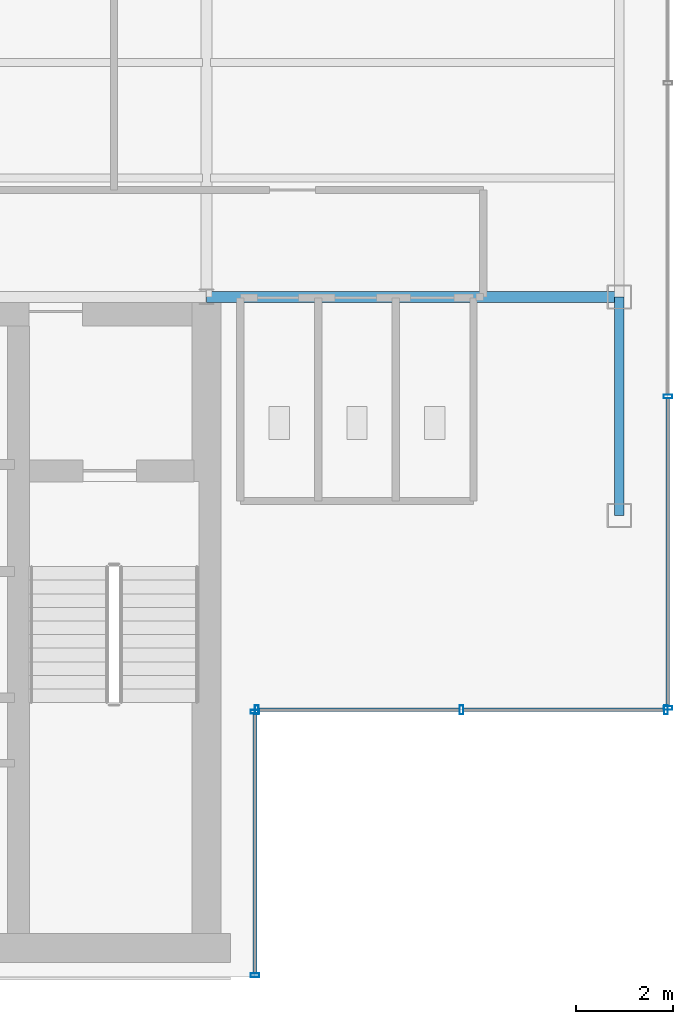
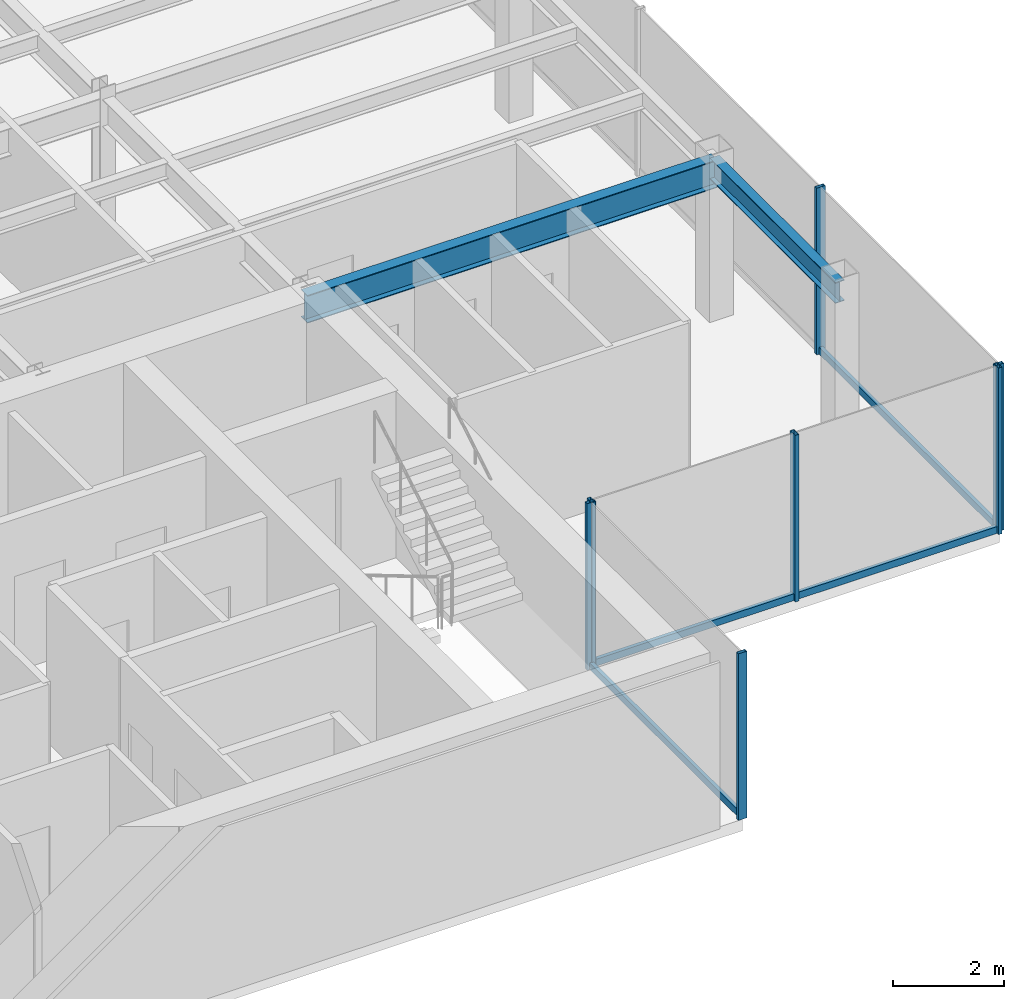
# One storey, part 9 of 22: 11 members, 2 beams, 3 elements without a shape of their own.
"""IFC4 building model written with IfcOpenShell, lengths in metres."""

from ifc_helpers import new_model, si_unit, derived_unit, direction, frame, origin, origin_2d, place, context, subcontext, project, spatial, hollow_rectangle, i_section, extrude, source, transform, mapped, material, material_profile, profile_set, type_object, element, aggregate, save


model = new_model("IFC4")

# Units and contexts
model_context = context("Model", 3, precision=1e-05, world=origin(), true_north=direction((0.0, 1.0)))
body_context = subcontext(model_context, "Body", "Model", "MODEL_VIEW")
ifc_project = project(units=[si_unit("LENGTHUNIT", "METRE"), si_unit("AREAUNIT", "SQUARE_METRE"), si_unit("VOLUMEUNIT", "CUBIC_METRE"), si_unit("PLANEANGLEUNIT", "RADIAN"), si_unit("MASSUNIT", "GRAM", prefix="KILO"), derived_unit("THERMALTRANSMITTANCEUNIT", [(si_unit("POWERUNIT", "WATT"), 1), (si_unit("LENGTHUNIT", "METRE"), -2), (si_unit("THERMODYNAMICTEMPERATUREUNIT", "KELVIN"), -1)])], contexts=[model_context])

# Site, building, storey
site_placement = place(None, origin())
site = spatial("IfcSite", under=ifc_project, at=site_placement, CompositionType="ELEMENT")
building_placement = place(site_placement, origin())
building = spatial("IfcBuilding", under=site, at=building_placement, Name="Skarnbrae Concourse Arena and Tower", CompositionType="ELEMENT")
storey_placement = place(building_placement, frame((0.0, 0.0, 228.75)))
storey = spatial("IfcBuildingStorey", under=building, at=storey_placement, Name="L59", CompositionType="ELEMENT", Elevation=228.75)

# Beams
ifc_material_1 = material(Name="Steel CSA G40.21 350W", Category="steel")
ifc_material_profile_1 = material_profile(ifc_material_1, i_section(OverallWidth=0.22802734375, OverallDepth=0.60791015625, WebThickness=0.01123046875, FlangeThickness=0.017333984375, at=origin_2d()), Name="W610X113")
ifc_profile_set_1 = profile_set([ifc_material_profile_1], Name="Steel CSA G40.21 350W")
beam_type_1 = type_object("IfcBeamType", Name="BM-GIRD-W610X113", PredefinedType="BEAM", material=ifc_profile_set_1)
shared_shape_1 = source(origin(), body_context, "Body", "SweptSolid", [
    extrude(i_section(OverallWidth=0.22802734375, OverallDepth=0.60791015625, WebThickness=0.01123046875, FlangeThickness=0.017333984375, at=origin_2d()), origin(), (0.0, 0.0, 1.0), 8.5),
])
beam_1_placement = place(storey_placement, frame((33.5, 14.0, 3.095947265625), z_axis=(1.0, 0.0, 0.0), x_axis=(0.0, 1.0, 0.0)))
element("IfcBeam", 1, at=beam_1_placement, inside=storey, type_object=beam_type_1, Name="L59 Primary E-W girder Y14.0-6", PredefinedType="BEAM", context=body_context, shape_type="MappedRepresentation", body=[
    mapped(shared_shape_1, transform((0.0, 0.0, 0.0))),
])
ifc_material_profile_2 = material_profile(ifc_material_1, i_section(OverallWidth=0.19091796875, OverallDepth=0.4599609375, WebThickness=0.010009765625, FlangeThickness=0.01611328125, at=origin_2d()), Name="W460X82")
ifc_profile_set_2 = profile_set([ifc_material_profile_2], Name="Steel CSA G40.21 350W")
beam_type_2 = type_object("IfcBeamType", Name="BM-SPAN-W460X82", PredefinedType="SPANDREL", material=ifc_profile_set_2)
shared_shape_2 = source(origin(), body_context, "Body", "SweptSolid", [
    extrude(i_section(OverallWidth=0.19091796875, OverallDepth=0.4599609375, WebThickness=0.010009765625, FlangeThickness=0.01611328125, at=origin_2d()), origin(), (0.0, 0.0, 1.0), 4.5),
])
beam_2_placement = place(storey_placement, frame((42.0, 9.5, 3.169921875), z_axis=(0.0, 1.0, 0.0), x_axis=(-1.0, 0.0, 0.0)))
element("IfcBeam", 2, at=beam_2_placement, inside=storey, type_object=beam_type_2, Name="L59 Perimeter spandrel X42.0-1", PredefinedType="SPANDREL", context=body_context, shape_type="MappedRepresentation", body=[
    mapped(shared_shape_2, transform((0.0, 0.0, 0.0))),
])

# Curtain wall, members
ifc_material_2 = material(Name="Bronze anodised aluminium 6063-T6", Category="aluminium")
curtain_wall_type = type_object("IfcCurtainWallType", Name="CW-SYS-05-HIGHZONE", PredefinedType="USERDEFINED", material=ifc_material_2)
curtain_wall_1_placement = place(storey_placement, origin())
curtain_wall_1 = element("IfcCurtainWall", 3, at=curtain_wall_1_placement, inside=storey, type_object=curtain_wall_type, Name="L59 Unitised curtain wall CW-L59-E02", ObjectType="UNITISED CURTAIN WALL", PredefinedType="USERDEFINED")
ifc_material_profile_3 = material_profile(ifc_material_2, hollow_rectangle(XDim=0.074951171875, YDim=0.179931640625, WallThickness=0.00390625, at=origin_2d()), Name="ALU-MULL-75X180")
ifc_profile_set_3 = profile_set([ifc_material_profile_3], Name="Bronze anodised aluminium 6063-T6")
member_type_1 = type_object("IfcMemberType", Name="CWM-CW-05", PredefinedType="MULLION", material=ifc_profile_set_3)
shared_shape_3 = source(origin(), body_context, "Body", "SweptSolid", [
    extrude(hollow_rectangle(XDim=0.074951171875, YDim=0.179931640625, WallThickness=0.00390625, at=origin_2d()), origin(), (0.0, 0.0, 1.0), 3.64990234375),
])
member_1_placement = place(storey_placement, frame((34.5, 0.03759765625, 0.0), z_axis=(0.0, 0.0, 1.0), x_axis=(0.0, 1.0, 0.0)))
member_1 = element("IfcMember", 4, at=member_1_placement, type_object=member_type_1, Name="CW-L59-E02 Mullion 1", PredefinedType="MULLION", context=body_context, shape_type="MappedRepresentation", body=[
    mapped(shared_shape_3, transform((0.0, 0.0, 0.0))),
])
member_2_placement = place(storey_placement, frame((34.5, 5.46240234375, 0.0), z_axis=(0.0, 0.0, 1.0), x_axis=(0.0, 1.0, 0.0)))
member_2 = element("IfcMember", 5, at=member_2_placement, type_object=member_type_1, Name="CW-L59-E02 Mullion 2", PredefinedType="MULLION", context=body_context, shape_type="MappedRepresentation", body=[
    mapped(shared_shape_3, transform((0.0, 0.0, 0.0))),
])

curtain_wall_2_placement = place(storey_placement, origin())
curtain_wall_2 = element("IfcCurtainWall", 6, at=curtain_wall_2_placement, inside=storey, type_object=curtain_wall_type, Name="L59 Unitised curtain wall CW-L59-E03", ObjectType="UNITISED CURTAIN WALL", PredefinedType="USERDEFINED")
member_3_placement = place(storey_placement, frame((34.53759765625, 5.5, 0.0), z_axis=(0.0, 0.0, 1.0), x_axis=(1.0, 0.0, 0.0)))
member_3 = element("IfcMember", 7, at=member_3_placement, type_object=member_type_1, Name="CW-L59-E03 Mullion 1", PredefinedType="MULLION", context=body_context, shape_type="MappedRepresentation", body=[
    mapped(shared_shape_3, transform((0.0, 0.0, 0.0))),
])
member_4_placement = place(storey_placement, frame((38.75, 5.5, 0.0), z_axis=(0.0, 0.0, 1.0), x_axis=(1.0, 0.0, 0.0)))
member_4 = element("IfcMember", 8, at=member_4_placement, type_object=member_type_1, Name="CW-L59-E03 Mullion 2", PredefinedType="MULLION", context=body_context, shape_type="MappedRepresentation", body=[
    mapped(shared_shape_3, transform((0.0, 0.0, 0.0))),
])
member_5_placement = place(storey_placement, frame((42.96240234375, 5.5, 0.0), z_axis=(0.0, 0.0, 1.0), x_axis=(1.0, 0.0, 0.0)))
member_5 = element("IfcMember", 9, at=member_5_placement, type_object=member_type_1, Name="CW-L59-E03 Mullion 3", PredefinedType="MULLION", context=body_context, shape_type="MappedRepresentation", body=[
    mapped(shared_shape_3, transform((0.0, 0.0, 0.0))),
])

curtain_wall_3_placement = place(storey_placement, origin())
curtain_wall_3 = element("IfcCurtainWall", 10, at=curtain_wall_3_placement, inside=storey, type_object=curtain_wall_type, Name="L59 Unitised curtain wall CW-L59-E04", ObjectType="UNITISED CURTAIN WALL", PredefinedType="USERDEFINED")
member_6_placement = place(storey_placement, frame((43.0, 5.53759765625, 0.0), z_axis=(0.0, 0.0, 1.0), x_axis=(0.0, 1.0, 0.0)))
member_6 = element("IfcMember", 11, at=member_6_placement, type_object=member_type_1, Name="CW-L59-E04 Mullion 1", PredefinedType="MULLION", context=body_context, shape_type="MappedRepresentation", body=[
    mapped(shared_shape_3, transform((0.0, 0.0, 0.0))),
])
member_7_placement = place(storey_placement, frame((43.0, 11.949951171875, 0.0), z_axis=(0.0, 0.0, 1.0), x_axis=(0.0, 1.0, 0.0)))
member_7 = element("IfcMember", 12, at=member_7_placement, type_object=member_type_1, Name="CW-L59-E04 Mullion 2", PredefinedType="MULLION", context=body_context, shape_type="MappedRepresentation", body=[
    mapped(shared_shape_3, transform((0.0, 0.0, 0.0))),
])

# Member
ifc_material_profile_4 = material_profile(ifc_material_2, hollow_rectangle(XDim=0.074951171875, YDim=0.14990234375, WallThickness=0.00390625, at=origin_2d()), Name="ALU-TRAN-75X150")
ifc_profile_set_4 = profile_set([ifc_material_profile_4], Name="Bronze anodised aluminium 6063-T6")
member_type_2 = type_object("IfcMemberType", Name="CWT-CW-05", PredefinedType="USERDEFINED", material=ifc_profile_set_4)
shared_shape_4 = source(origin(), body_context, "Body", "SweptSolid", [
    extrude(hollow_rectangle(XDim=0.074951171875, YDim=0.14990234375, WallThickness=0.00390625, at=origin_2d()), origin(), (0.0, 0.0, 1.0), 5.35009765625),
])
member_8_placement = place(storey_placement, frame((34.5, 0.074951171875, 0.074951171875), z_axis=(0.0, 1.0, 0.0), x_axis=(-1.0, 0.0, 0.0)))
member_8 = element("IfcMember", 13, at=member_8_placement, type_object=member_type_2, Name="CW-L59-E02 Transom 1", ObjectType="TRANSOM", PredefinedType="USERDEFINED", context=body_context, shape_type="MappedRepresentation", body=[
    mapped(shared_shape_4, transform((0.0, 0.0, 0.0))),
])

aggregate(curtain_wall_1, [member_1, member_2, member_8])

shared_shape_5 = source(origin(), body_context, "Body", "SweptSolid", [
    extrude(hollow_rectangle(XDim=0.074951171875, YDim=0.14990234375, WallThickness=0.00390625, at=origin_2d()), origin(), (0.0, 0.0, 1.0), 4.137451171875),
])
member_9_placement = place(storey_placement, frame((34.574951171875, 5.5, 0.074951171875), z_axis=(1.0, 0.0, 0.0), x_axis=(0.0, 1.0, 0.0)))
member_9 = element("IfcMember", 14, at=member_9_placement, type_object=member_type_2, Name="CW-L59-E03 Transom 1", ObjectType="TRANSOM", PredefinedType="USERDEFINED", context=body_context, shape_type="MappedRepresentation", body=[
    mapped(shared_shape_5, transform((0.0, 0.0, 0.0))),
])

member_10_placement = place(storey_placement, frame((38.78759765625, 5.5, 0.074951171875), z_axis=(1.0, 0.0, 0.0), x_axis=(0.0, 1.0, 0.0)))
member_10 = element("IfcMember", 15, at=member_10_placement, type_object=member_type_2, Name="CW-L59-E03 Transom 2", ObjectType="TRANSOM", PredefinedType="USERDEFINED", context=body_context, shape_type="MappedRepresentation", body=[
    mapped(shared_shape_5, transform((0.0, 0.0, 0.0))),
])

aggregate(curtain_wall_2, [member_3, member_4, member_5, member_9, member_10])

shared_shape_6 = source(origin(), body_context, "Body", "SweptSolid", [
    extrude(hollow_rectangle(XDim=0.074951171875, YDim=0.14990234375, WallThickness=0.00390625, at=origin_2d()), origin(), (0.0, 0.0, 1.0), 6.337646484375),
])
member_11_placement = place(storey_placement, frame((43.0, 5.574951171875, 0.074951171875), z_axis=(0.0, 1.0, 0.0), x_axis=(-1.0, 0.0, 0.0)))
member_11 = element("IfcMember", 16, at=member_11_placement, type_object=member_type_2, Name="CW-L59-E04 Transom 1", ObjectType="TRANSOM", PredefinedType="USERDEFINED", context=body_context, shape_type="MappedRepresentation", body=[
    mapped(shared_shape_6, transform((0.0, 0.0, 0.0))),
])

aggregate(curtain_wall_3, [member_6, member_7, member_11])

save(model, "model.ifc")
